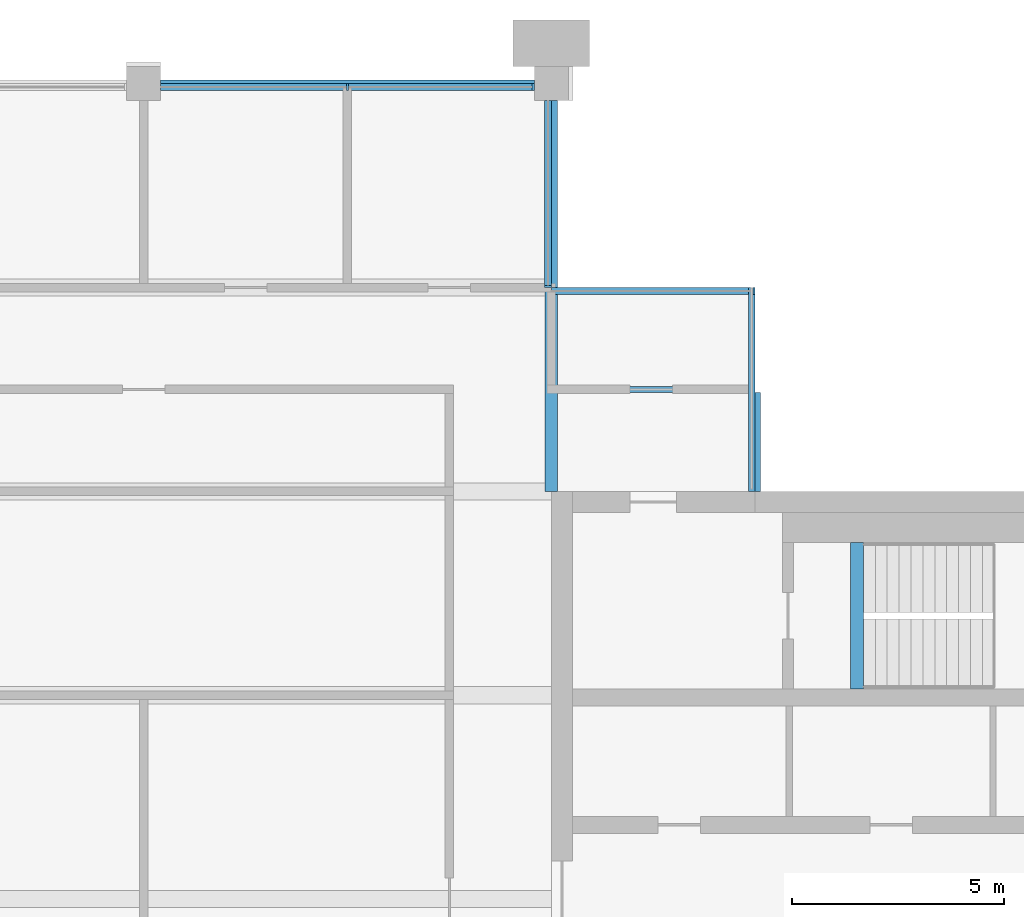
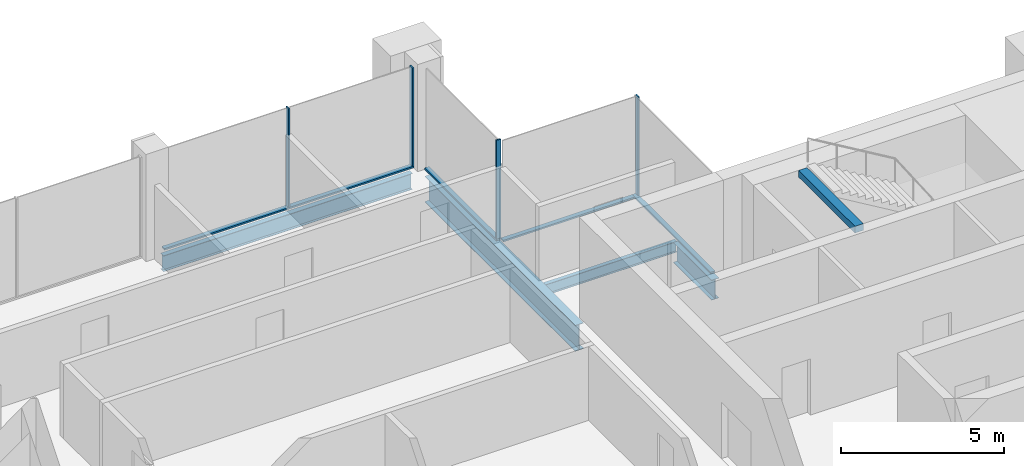
# One storey, part 6 of 12: 8 members, 5 beams, 4 elements without a shape of their own.
"""IFC4 building model written with IfcOpenShell, lengths in metres."""

from ifc_helpers import new_model, si_unit, direction, frame, origin, origin_2d, place, context, subcontext, project, spatial, rectangle, i_section, extrude, material, material_profile, profile_set, type_object, element, aggregate, save


model = new_model("IFC4")

# Units and contexts
model_context = context("Model", 3, precision=1e-05, world=origin(), true_north=direction((0.0, 1.0)))
body_context = subcontext(model_context, "Body", "Model", "MODEL_VIEW")
ifc_project = project(units=[si_unit("LENGTHUNIT", "METRE"), si_unit("AREAUNIT", "SQUARE_METRE"), si_unit("VOLUMEUNIT", "CUBIC_METRE"), si_unit("PLANEANGLEUNIT", "RADIAN"), si_unit("MASSUNIT", "GRAM", prefix="KILO")], contexts=[model_context])

# Site, building, storey
site_placement = place(None, origin())
site = spatial("IfcSite", under=ifc_project, at=site_placement, CompositionType="ELEMENT")
building_placement = place(site_placement, origin())
building = spatial("IfcBuilding", under=site, at=building_placement, Name="Baori Bourse Tower", CompositionType="ELEMENT")
storey_placement = place(building_placement, frame((0.0, 0.0, 362.300048828125)))
storey = spatial("IfcBuildingStorey", under=building, at=storey_placement, Name="L81", CompositionType="ELEMENT", Elevation=362.300048828125)

# Curtain wall, member
ifc_material_1 = material(Name="Pale anodised aluminium", Category="aluminium")
curtain_wall_type = type_object("IfcCurtainWallType", Name="CW3 Curtain wall", PredefinedType="NOTDEFINED", material=ifc_material_1)
curtain_wall_1_placement = place(storey_placement, origin())
curtain_wall_1 = element("IfcCurtainWall", 1, at=curtain_wall_1_placement, inside=storey, type_object=curtain_wall_type, Name="Curtain wall CW3 L81 3", PredefinedType="NOTDEFINED")
ifc_material_2 = material(Name="Pale anodised aluminium", Category="aluminium")
ifc_material_profile_1 = material_profile(ifc_material_2, rectangle(XDim=0.159912109375, YDim=0.050048828125, at=origin_2d()), Name="Mullion 50x160")
ifc_profile_set_1 = profile_set([ifc_material_profile_1], Name="Pale anodised aluminium")
member_type_1 = type_object("IfcMemberType", Name="CW3 Curtain wall mullion", PredefinedType="MULLION", material=ifc_profile_set_1)
member_1_placement = place(storey_placement, frame((43.175048828125, 43.1201171875, 0.06005859375), z_axis=(0.0, 0.0, 1.0), x_axis=(0.0, -1.0, 0.0)))
member_1 = element("IfcMember", 2, at=member_1_placement, type_object=member_type_1, Name="Curtain wall CW3 mullion", PredefinedType="MULLION", context=body_context, shape_type="SweptSolid", body=[
    extrude(rectangle(XDim=0.159912109375, YDim=0.050048828125, at=origin_2d()), origin(), (0.0, 0.0, 1.0), 3.68994140625),
])

curtain_wall_2_placement = place(storey_placement, origin())
curtain_wall_2 = element("IfcCurtainWall", 3, at=curtain_wall_2_placement, inside=storey, type_object=curtain_wall_type, Name="Curtain wall CW3 L81 4", PredefinedType="NOTDEFINED")
member_2_placement = place(storey_placement, frame((38.320068359375, 43.22509765625, 0.06005859375), z_axis=(0.0, 0.0, 1.0), x_axis=(-1.0, 0.0, 0.0)))
member_2 = element("IfcMember", 4, at=member_2_placement, type_object=member_type_1, Name="Curtain wall CW3 mullion", PredefinedType="MULLION", context=body_context, shape_type="SweptSolid", body=[
    extrude(rectangle(XDim=0.159912109375, YDim=0.050048828125, at=origin_2d()), origin(), (0.0, 0.0, 1.0), 3.68994140625),
])

# Curtain wall, members
curtain_wall_3_placement = place(storey_placement, origin())
curtain_wall_3 = element("IfcCurtainWall", 5, at=curtain_wall_3_placement, inside=storey, type_object=curtain_wall_type, Name="Curtain wall CW3 L81 5", PredefinedType="NOTDEFINED")
member_3_placement = place(storey_placement, frame((37.97509765625, 47.919921875, 0.06005859375), z_axis=(0.0, 0.0, 1.0), x_axis=(0.0, -1.0, 0.0)))
member_3 = element("IfcMember", 6, at=member_3_placement, type_object=member_type_1, Name="Curtain wall CW3 mullion", PredefinedType="MULLION", context=body_context, shape_type="SweptSolid", body=[
    extrude(rectangle(XDim=0.159912109375, YDim=0.050048828125, at=origin_2d()), origin(), (0.0, 0.0, 1.0), 3.68994140625),
])
member_4_placement = place(storey_placement, frame((33.60009765625, 47.919921875, 0.06005859375), z_axis=(0.0, 0.0, 1.0), x_axis=(0.0, -1.0, 0.0)))
member_4 = element("IfcMember", 7, at=member_4_placement, type_object=member_type_1, Name="Curtain wall CW3 mullion", PredefinedType="MULLION", context=body_context, shape_type="SweptSolid", body=[
    extrude(rectangle(XDim=0.159912109375, YDim=0.050048828125, at=origin_2d()), origin(), (0.0, 0.0, 1.0), 3.68994140625),
])

# Curtain wall, member
curtain_wall_4_placement = place(storey_placement, origin())
curtain_wall_4 = element("IfcCurtainWall", 8, at=curtain_wall_4_placement, inside=storey, type_object=curtain_wall_type, Name="Curtain wall CW3 L81 2", PredefinedType="NOTDEFINED")
ifc_material_3 = material(Name="Pale anodised aluminium", Category="aluminium")
ifc_material_profile_2 = material_profile(ifc_material_3, rectangle(XDim=0.159912109375, YDim=0.06005859375, at=origin_2d()), Name="Transom 60x160")
ifc_profile_set_2 = profile_set([ifc_material_profile_2], Name="Pale anodised aluminium")
member_type_2 = type_object("IfcMemberType", Name="CW3 Curtain wall transom", PredefinedType="USERDEFINED", material=ifc_profile_set_2)
member_5_placement = place(storey_placement, frame((43.1201171875, 38.39990234375, 0.030029296875), z_axis=(0.0, 1.0, 0.0), x_axis=(-1.0, 0.0, 0.0)))
member_5 = element("IfcMember", 9, at=member_5_placement, type_object=member_type_2, Name="Curtain wall CW3 sill rail", ObjectType="TRANSOM", PredefinedType="USERDEFINED", context=body_context, shape_type="SweptSolid", body=[
    extrude(rectangle(XDim=0.159912109375, YDim=0.06005859375, at=origin_2d()), origin(), (0.0, 0.0, 1.0), 4.800048828125),
])
aggregate(curtain_wall_4, [member_5])

# Member
member_6_placement = place(storey_placement, frame((43.199951171875, 43.1201171875, 0.030029296875), z_axis=(-1.0, 0.0, 0.0), x_axis=(0.0, -1.0, 0.0)))
member_6 = element("IfcMember", 10, at=member_6_placement, type_object=member_type_2, Name="Curtain wall CW3 sill rail", ObjectType="TRANSOM", PredefinedType="USERDEFINED", context=body_context, shape_type="SweptSolid", body=[
    extrude(rectangle(XDim=0.159912109375, YDim=0.06005859375, at=origin_2d()), origin(), (0.0, 0.0, 1.0), 4.800048828125),
])

aggregate(curtain_wall_1, [member_6, member_1])

member_7_placement = place(storey_placement, frame((38.320068359375, 43.199951171875, 0.030029296875), z_axis=(0.0, 1.0, 0.0), x_axis=(-1.0, 0.0, 0.0)))
member_7 = element("IfcMember", 11, at=member_7_placement, type_object=member_type_2, Name="Curtain wall CW3 sill rail", ObjectType="TRANSOM", PredefinedType="USERDEFINED", context=body_context, shape_type="SweptSolid", body=[
    extrude(rectangle(XDim=0.159912109375, YDim=0.06005859375, at=origin_2d()), origin(), (0.0, 0.0, 1.0), 4.400146484375),
])

aggregate(curtain_wall_2, [member_7, member_2])

member_8_placement = place(storey_placement, frame((38.0, 47.919921875, 0.030029296875), z_axis=(-1.0, 0.0, 0.0), x_axis=(0.0, -1.0, 0.0)))
member_8 = element("IfcMember", 12, at=member_8_placement, type_object=member_type_2, Name="Curtain wall CW3 sill rail", ObjectType="TRANSOM", PredefinedType="USERDEFINED", context=body_context, shape_type="SweptSolid", body=[
    extrude(rectangle(XDim=0.159912109375, YDim=0.06005859375, at=origin_2d()), origin(), (0.0, 0.0, 1.0), 8.800048828125),
])

aggregate(curtain_wall_3, [member_8, member_3, member_4])

# Beams
ifc_material_4 = material(Name="Steel A992 Gr 50", Category="steel")
ifc_material_profile_3 = material_profile(ifc_material_4, i_section(OverallWidth=0.26416015625, OverallDepth=0.749267578125, WebThickness=0.011962890625, FlangeThickness=0.015380859375, at=origin_2d()), Name="W30x90")
ifc_profile_set_3 = profile_set([ifc_material_profile_3], Name="Steel A992 Gr 50")
beam_type_1 = type_object("IfcBeamType", Name="Core bracket W30x90", PredefinedType="BEAM", material=ifc_profile_set_3)
beam_1_placement = place(storey_placement, frame((43.199951171875, 38.39990234375, -0.624755859375), z_axis=(0.0, 1.0, 0.0), x_axis=(-1.0, 0.0, 0.0)))
element("IfcBeam", 13, at=beam_1_placement, inside=storey, type_object=beam_type_1, Name="Core bracket L81", PredefinedType="BEAM", context=body_context, shape_type="SweptSolid", body=[
    extrude(i_section(OverallWidth=0.26416015625, OverallDepth=0.749267578125, WebThickness=0.011962890625, FlangeThickness=0.015380859375, at=origin_2d()), origin(), (0.0, 0.0, 1.0), 2.329833984375),
])
ifc_material_5 = material(Name="Steel A992 Gr 50", Category="steel")
ifc_material_profile_4 = material_profile(ifc_material_5, i_section(OverallWidth=0.177978515625, OverallDepth=0.599365234375, WebThickness=0.010009765625, FlangeThickness=0.012939453125, at=origin_2d()), Name="W24x55")
ifc_profile_set_4 = profile_set([ifc_material_profile_4], Name="Steel A992 Gr 50")
beam_type_2 = type_object("IfcBeamType", Name="Edge beam W24x55", PredefinedType="BEAM", material=ifc_profile_set_4)
beam_2_placement = place(storey_placement, frame((29.199951171875, 48.0, -0.5498046875), z_axis=(1.0, 0.0, 0.0), x_axis=(0.0, 1.0, 0.0)))
element("IfcBeam", 14, at=beam_2_placement, inside=storey, type_object=beam_type_2, Name="Edge beam L81", PredefinedType="BEAM", context=body_context, shape_type="SweptSolid", body=[
    extrude(i_section(OverallWidth=0.177978515625, OverallDepth=0.599365234375, WebThickness=0.010009765625, FlangeThickness=0.012939453125, at=origin_2d()), origin(), (0.0, 0.0, 1.0), 8.800048828125),
])
ifc_material_6 = material(Name="Steel A992 Gr 50", Category="steel")
ifc_material_profile_5 = material_profile(ifc_material_6, i_section(OverallWidth=0.2998046875, OverallDepth=0.97021484375, WebThickness=0.01611328125, FlangeThickness=0.02099609375, at=origin_2d()), Name="W40x149")
ifc_profile_set_5 = profile_set([ifc_material_profile_5], Name="Steel A992 Gr 50")
beam_type_3 = type_object("IfcBeamType", Name="Girder W40x149", PredefinedType="BEAM", material=ifc_profile_set_5)
beam_3_placement = place(storey_placement, frame((38.39990234375, 38.39990234375, -0.735107421875), z_axis=(0.0, 1.0, 0.0), x_axis=(-1.0, 0.0, 0.0)))
element("IfcBeam", 15, at=beam_3_placement, inside=storey, type_object=beam_type_3, Name="Girder L81", PredefinedType="BEAM", context=body_context, shape_type="SweptSolid", body=[
    extrude(i_section(OverallWidth=0.2998046875, OverallDepth=0.97021484375, WebThickness=0.01611328125, FlangeThickness=0.02099609375, at=origin_2d()), origin(), (0.0, 0.0, 1.0), 9.2001953125),
])
ifc_material_7 = material(Name="Concrete f'c 50 MPa", Category="concrete")
ifc_material_profile_6 = material_profile(ifc_material_7, rectangle(XDim=0.300048828125, YDim=0.25, at=origin_2d()), Name="RC 300x250")
ifc_profile_set_6 = profile_set([ifc_material_profile_6], Name="Concrete f'c 50 MPa")
beam_type_4 = type_object("IfcBeamType", Name="Stair nib beam RC 300x250", PredefinedType="BEAM", material=ifc_profile_set_6)
beam_4_placement = place(storey_placement, frame((45.60009765625, 33.75, 3.625), z_axis=(0.0, 1.0, 0.0), x_axis=(-1.0, 0.0, 0.0)))
element("IfcBeam", 16, at=beam_4_placement, inside=storey, type_object=beam_type_4, Name="Stair EB nib beam L82", PredefinedType="BEAM", context=body_context, shape_type="SweptSolid", body=[
    extrude(rectangle(XDim=0.300048828125, YDim=0.25, at=origin_2d()), origin(), (0.0, 0.0, 1.0), 3.449951171875),
])
ifc_material_8 = material(Name="Steel A992 Gr 50", Category="steel")
ifc_material_profile_7 = material_profile(ifc_material_8, i_section(OverallWidth=0.140380859375, OverallDepth=0.40380859375, WebThickness=0.007080078125, FlangeThickness=0.01123046875, at=origin_2d()), Name="W16x31")
ifc_profile_set_7 = profile_set([ifc_material_profile_7], Name="Steel A992 Gr 50")
beam_type_5 = type_object("IfcBeamType", Name="Trimmer beam W16x31", PredefinedType="BEAM", material=ifc_profile_set_7)
beam_5_placement = place(storey_placement, frame((38.5498046875, 40.800048828125, -0.451904296875), z_axis=(1.0, 0.0, 0.0), x_axis=(0.0, 1.0, 0.0)))
element("IfcBeam", 17, at=beam_5_placement, inside=storey, type_object=beam_type_5, Name="Trimmer beam L81", PredefinedType="BEAM", context=body_context, shape_type="SweptSolid", body=[
    extrude(i_section(OverallWidth=0.140380859375, OverallDepth=0.40380859375, WebThickness=0.007080078125, FlangeThickness=0.01123046875, at=origin_2d()), origin(), (0.0, 0.0, 1.0), 4.650146484375),
])

save(model, "model.ifc")
